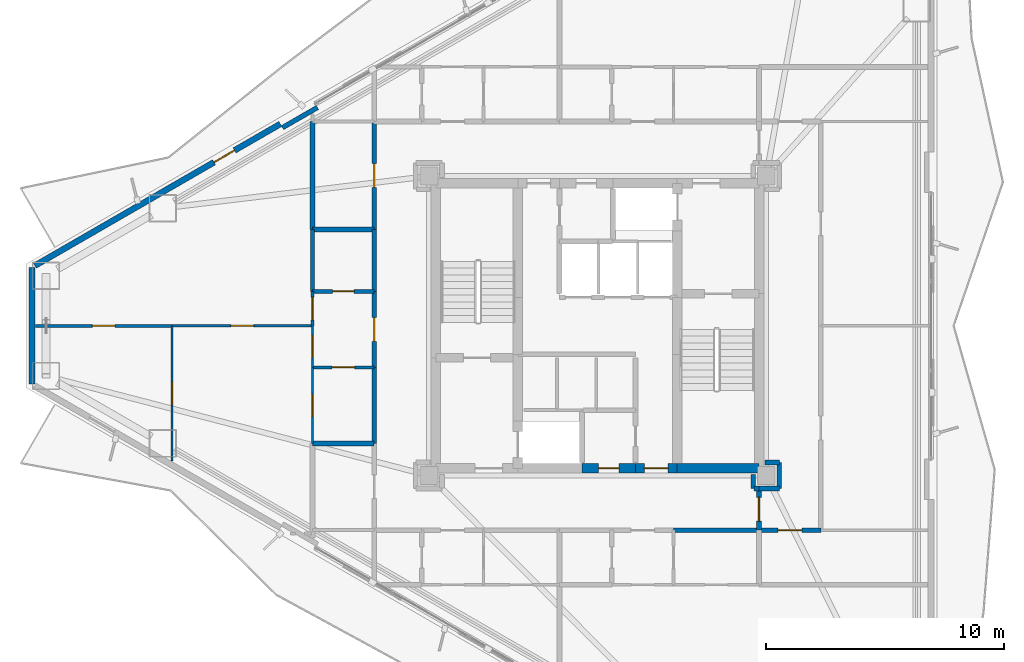
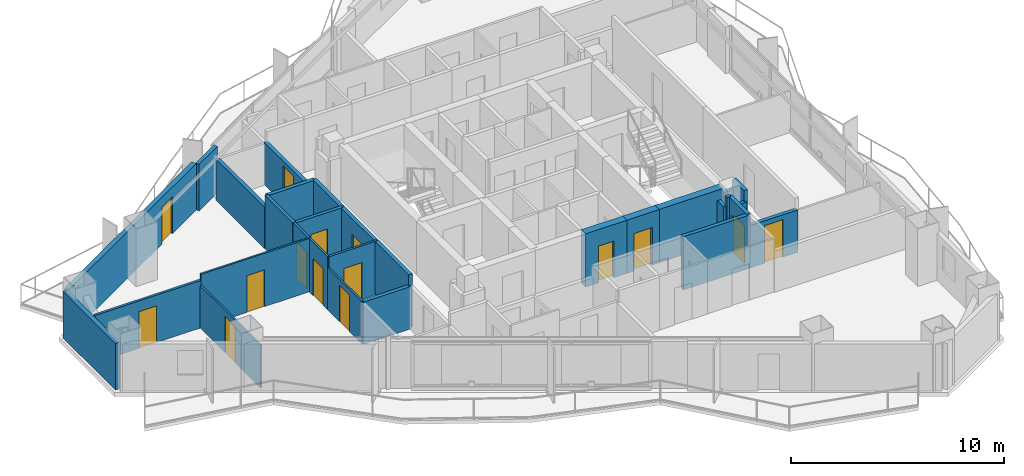
# One storey, part 17 of 23: 30 walls, 15 doors, 15 openings.
"""IFC4 building model written with IfcOpenShell, lengths in metres."""

from ifc_helpers import new_model, si_unit, direction, frame, frame_2d, origin, place, context, subcontext, project, spatial, rectangle, extrude, material, layer, layer_set, type_object, element, fill, save


model = new_model("IFC4")

# Units and contexts
model_context = context("Model", 3, precision=1e-05, world=origin(), true_north=direction((0.0, 1.0)))
body_context = subcontext(model_context, "Body", "Model", "MODEL_VIEW")
ifc_project = project(units=[si_unit("LENGTHUNIT", "METRE"), si_unit("AREAUNIT", "SQUARE_METRE"), si_unit("VOLUMEUNIT", "CUBIC_METRE"), si_unit("PLANEANGLEUNIT", "RADIAN"), si_unit("MASSUNIT", "GRAM", prefix="KILO")], contexts=[model_context])

# Site, building, storey
site_placement = place(None, origin())
site = spatial("IfcSite", under=ifc_project, at=site_placement, CompositionType="ELEMENT")
building_placement = place(site_placement, origin())
building = spatial("IfcBuilding", under=site, at=building_placement, Name="Mersakhor Tower and Convention Hall", CompositionType="ELEMENT")
storey_placement = place(building_placement, frame((0.0, 0.0, 96.60009765625)))
storey = spatial("IfcBuildingStorey", under=building, at=storey_placement, Name="L26", CompositionType="ELEMENT", Elevation=96.60009765625)

# Wall
ifc_material_1 = material(Name="Precast concrete C40/50", Category="concrete")
ifc_layer_1 = layer(ifc_material_1, 0.25)
ifc_layer_set_1 = layer_set([ifc_layer_1], Name="Precast concrete C40/50")
wall_type_1 = type_object("IfcWallType", Name="WL-EXT-250", PredefinedType="SOLIDWALL", material=ifc_layer_set_1)
wall_1_placement = place(storey_placement, frame((5.186767578125, 24.292724609375, 0.0), z_axis=(0.0, 0.0, 1.0), x_axis=(0.0, 1.0, 0.0)))
element("IfcWall", 1, at=wall_1_placement, inside=storey, type_object=wall_type_1, Name="L26 Chamfer Braced Spandrel Wall C3", PredefinedType="SOLIDWALL", context=body_context, shape_type="SweptSolid", body=[
    extrude(rectangle(XDim=4.91455078125, YDim=0.25, at=frame_2d((2.457275390625, 0.0))), origin(), (0.0, 0.0, 1.0), 2.669921875),
])

# Wall, opening, door
wall_2_placement = place(storey_placement, frame((5.316650390625, 29.2822265625, 0.0), z_axis=(0.0, 0.0, 1.0), x_axis=(0.866023023012, 0.500004123596, 0.0)))
wall_2 = element("IfcWall", 2, at=wall_2_placement, inside=storey, type_object=wall_type_1, Name="L26 Exterior Facade Wall F1-B1", PredefinedType="SOLIDWALL", context=body_context, shape_type="SweptSolid", body=[
    extrude(rectangle(XDim=11.9296875, YDim=0.25, at=frame_2d((5.96484375, 0.0))), origin(), (0.0, 0.0, 1.0), 2.669921875),
])
opening_1_placement = place(wall_2_placement, frame((8.7041015625, 0.0, 0.0)))
opening_1 = element("IfcOpeningElement", 3, at=opening_1_placement, cuts=wall_2, Name="Opening BD-01", PredefinedType="OPENING", context=body_context, shape_type="SweptSolid", body=[
    extrude(rectangle(XDim=1.0, YDim=2.10009765625, at=frame_2d((0.5, 1.050048828125))), frame((0.0, 0.135009765625, 0.0), z_axis=(0.0, -1.0, 0.0), x_axis=(1.0, 0.0, 0.0)), (0.0, 0.0, 1.0), 0.27001953125),
])
ifc_material_2 = material(Name="Thermally broken dark aluminium and safety glass", Category="aluminium")
door_type_1 = type_object("IfcDoorType", Name="DR-BAL-100x210", OperationType="NOTDEFINED", PredefinedType="DOOR", material=ifc_material_2)
door_1_placement = place(opening_1_placement, origin())
door_1 = element("IfcDoor", 4, at=door_1_placement, inside=storey, type_object=door_type_1, Name="L26 Balcony Terrace Door F1-B1", OperationType="SINGLE_SWING_LEFT", OverallHeight=2.10009765625, OverallWidth=1.0, PredefinedType="DOOR", context=body_context, shape_type="SweptSolid", body=[
    extrude(rectangle(XDim=1.0, YDim=2.10009765625, at=frame_2d((0.5, 1.050048828125))), frame((0.0, 0.02490234375, 0.0), z_axis=(0.0, -1.0, 0.0), x_axis=(1.0, 0.0, 0.0)), (0.0, 0.0, 1.0), 0.050048828125),
])
fill(opening_1, door_1)

# Wall
ifc_material_3 = material(Name="Precast concrete C40/50", Category="concrete")
ifc_layer_2 = layer(ifc_material_3, 0.199951171875)
ifc_layer_set_2 = layer_set([ifc_layer_2], Name="Precast concrete C40/50")
wall_type_2 = type_object("IfcWallType", Name="WL-PAR-200", PredefinedType="PARAPET", material=ifc_layer_set_2)
wall_3_placement = place(storey_placement, frame((15.73779296875, 35.091064453125, 0.0), z_axis=(0.0, 0.0, 1.0), x_axis=(0.866025371046, 0.500000056704, 0.0)))
element("IfcWall", 5, at=wall_3_placement, inside=storey, type_object=wall_type_2, Name="L26 Column Pier Cladding Wall F1-C1", PredefinedType="PARAPET", context=body_context, shape_type="SweptSolid", body=[
    extrude(rectangle(XDim=1.7001953125, YDim=0.199951171875, at=frame_2d((0.85009765625, 0.0))), origin(), (0.0, 0.0, 1.0), 2.669921875),
])

# Wall, opening, door
ifc_material_4 = material(Name="Moisture-resistant acoustic drywall studwork", Category="other")
ifc_layer_3 = layer(ifc_material_4, 0.175048828125)
ifc_layer_set_3 = layer_set([ifc_layer_3], Name="Moisture-resistant acoustic drywall studwork")
wall_type_3 = type_object("IfcWallType", Name="WL-PLM-175", PredefinedType="PLUMBINGWALL", material=ifc_layer_set_3)
wall_4_placement = place(storey_placement, frame((17.0, 28.199951171875, 0.0), z_axis=(0.0, 0.0, 1.0), x_axis=(1.0, 0.0, 0.0)))
wall_4 = element("IfcWall", 6, at=wall_4_placement, inside=storey, type_object=wall_type_3, Name="L26 Interior Partition Wall P-074", PredefinedType="PLUMBINGWALL", context=body_context, shape_type="SweptSolid", body=[
    extrude(rectangle(XDim=2.60009765625, YDim=0.175048828125, at=frame_2d((1.300048828125, 0.0))), origin(), (0.0, 0.0, 1.0), 3.0498046875),
])
opening_2_placement = place(wall_4_placement, frame((0.85009765625, 0.0, 0.0)))
opening_2 = element("IfcOpeningElement", 7, at=opening_2_placement, cuts=wall_4, Name="Opening WD-01", PredefinedType="OPENING", context=body_context, shape_type="SweptSolid", body=[
    extrude(rectangle(XDim=0.89990234375, YDim=2.10009765625, at=frame_2d((0.449951171875, 1.050048828125))), frame((0.0, 0.097412109375, 0.0), z_axis=(0.0, -1.0, 0.0), x_axis=(1.0, 0.0, 0.0)), (0.0, 0.0, 1.0), 0.195068359375),
])
ifc_material_5 = material(Name="Solid-core hardwood leaf in painted steel frame", Category="steel")
door_type_2 = type_object("IfcDoorType", Name="DR-INT-WET-090x210", OperationType="NOTDEFINED", PredefinedType="DOOR", material=ifc_material_5)
door_2_placement = place(opening_2_placement, origin())
door_2 = element("IfcDoor", 8, at=door_2_placement, inside=storey, type_object=door_type_2, Name="L26 L26 Flat W5 Apartment Hall to L26 Flat W5 Bathroom Door", OperationType="SINGLE_SWING_RIGHT", OverallHeight=2.10009765625, OverallWidth=0.89990234375, PredefinedType="DOOR", context=body_context, shape_type="SweptSolid", body=[
    extrude(rectangle(XDim=0.89990234375, YDim=2.10009765625, at=frame_2d((0.449951171875, 1.050048828125))), frame((0.0, 0.02490234375, 0.0), z_axis=(0.0, -1.0, 0.0), x_axis=(1.0, 0.0, 0.0)), (0.0, 0.0, 1.0), 0.050048828125),
])
fill(opening_2, door_2)

# Wall
wall_5_placement = place(storey_placement, frame((17.0, 28.199951171875, 0.0), z_axis=(0.0, 0.0, 1.0), x_axis=(0.0, 1.0, 0.0)))
element("IfcWall", 9, at=wall_5_placement, inside=storey, type_object=wall_type_3, Name="L26 Interior Partition Wall P-090", PredefinedType="PLUMBINGWALL", context=body_context, shape_type="SweptSolid", body=[
    extrude(rectangle(XDim=2.60009765625, YDim=0.175048828125, at=frame_2d((1.300048828125, 0.0))), origin(), (0.0, 0.0, 1.0), 3.0498046875),
])

# Wall, opening, door
ifc_material_6 = material(Name="Lightweight gypsum partition", Category="other")
ifc_layer_4 = layer(ifc_material_6, 0.10009765625)
ifc_layer_set_4 = layer_set([ifc_layer_4], Name="Lightweight gypsum partition")
wall_type_4 = type_object("IfcWallType", Name="WL-PRT-100", PredefinedType="PARTITIONING", material=ifc_layer_set_4)
wall_6_placement = place(storey_placement, frame((17.0, 25.0, 0.0), z_axis=(0.0, 0.0, 1.0), x_axis=(0.0, 1.0, 0.0)))
wall_6 = element("IfcWall", 10, at=wall_6_placement, inside=storey, type_object=wall_type_4, Name="L26 Interior Partition Wall P-072", PredefinedType="PARTITIONING", context=body_context, shape_type="SweptSolid", body=[
    extrude(rectangle(XDim=1.75, YDim=0.10009765625, at=frame_2d((0.875, 0.0))), origin(), (0.0, 0.0, 1.0), 3.0498046875),
])
opening_3_placement = place(wall_6_placement, frame((0.39990234375, 0.0, 0.0)))
opening_3 = element("IfcOpeningElement", 11, at=opening_3_placement, cuts=wall_6, Name="Opening RD-01", PredefinedType="OPENING", context=body_context, shape_type="SweptSolid", body=[
    extrude(rectangle(XDim=0.949951171875, YDim=2.10009765625, at=frame_2d((0.47509765625, 1.050048828125))), frame((0.0, 0.06005859375, 0.0), z_axis=(0.0, -1.0, 0.0), x_axis=(1.0, 0.0, 0.0)), (0.0, 0.0, 1.0), 0.1201171875),
])
ifc_material_7 = material(Name="Solid-core hardwood leaf in painted steel frame", Category="steel")
door_type_3 = type_object("IfcDoorType", Name="DR-INT-RM-095x210", OperationType="NOTDEFINED", PredefinedType="DOOR", material=ifc_material_7)
door_3_placement = place(opening_3_placement, origin())
door_3 = element("IfcDoor", 12, at=door_3_placement, inside=storey, type_object=door_type_3, Name="L26 L26 Flat W5 Apartment Hall to L26 Flat W5 Dining Room Door", OperationType="SINGLE_SWING_LEFT", OverallHeight=2.10009765625, OverallWidth=0.949951171875, PredefinedType="DOOR", context=body_context, shape_type="SweptSolid", body=[
    extrude(rectangle(XDim=0.949951171875, YDim=2.10009765625, at=frame_2d((0.47509765625, 1.050048828125))), frame((0.0, 0.02490234375, 0.0), z_axis=(0.0, -1.0, 0.0), x_axis=(1.0, 0.0, 0.0)), (0.0, 0.0, 1.0), 0.050048828125),
])
fill(opening_3, door_3)

wall_7_placement = place(storey_placement, frame((17.0, 21.800048828125, 0.0), z_axis=(0.0, 0.0, 1.0), x_axis=(0.0, 1.0, 0.0)))
wall_7 = element("IfcWall", 13, at=wall_7_placement, inside=storey, type_object=wall_type_4, Name="L26 Interior Partition Wall P-092", PredefinedType="PARTITIONING", context=body_context, shape_type="SweptSolid", body=[
    extrude(rectangle(XDim=3.199951171875, YDim=0.10009765625, at=frame_2d((1.60009765625, 0.0))), origin(), (0.0, 0.0, 1.0), 2.422607421875),
])
opening_4_placement = place(wall_7_placement, frame((1.125, 0.0, 0.0)))
opening_4 = element("IfcOpeningElement", 14, at=opening_4_placement, cuts=wall_7, Name="Opening RD-01", PredefinedType="OPENING", context=body_context, shape_type="SweptSolid", body=[
    extrude(rectangle(XDim=0.949951171875, YDim=2.10009765625, at=frame_2d((0.47509765625, 1.050048828125))), frame((0.0, 0.06005859375, 0.0), z_axis=(0.0, -1.0, 0.0), x_axis=(1.0, 0.0, 0.0)), (0.0, 0.0, 1.0), 0.1201171875),
])
door_4_placement = place(opening_4_placement, origin())
door_4 = element("IfcDoor", 15, at=door_4_placement, inside=storey, type_object=door_type_3, Name="L26 L26 Flat W5 Kitchen to L26 Flat W5 Dining Room Door", OperationType="SINGLE_SWING_RIGHT", OverallHeight=2.10009765625, OverallWidth=0.949951171875, PredefinedType="DOOR", context=body_context, shape_type="SweptSolid", body=[
    extrude(rectangle(XDim=0.949951171875, YDim=2.10009765625, at=frame_2d((0.47509765625, 1.050048828125))), frame((0.0, 0.02490234375, 0.0), z_axis=(0.0, -1.0, 0.0), x_axis=(1.0, 0.0, 0.0)), (0.0, 0.0, 1.0), 0.050048828125),
])
fill(opening_4, door_4)

wall_8_placement = place(storey_placement, frame((17.0, 26.75, 0.0), z_axis=(0.0, 0.0, 1.0), x_axis=(-1.0, 0.0, 0.0)))
wall_8 = element("IfcWall", 16, at=wall_8_placement, inside=storey, type_object=wall_type_4, Name="L26 Interior Partition Wall P-108", PredefinedType="PARTITIONING", context=body_context, shape_type="SweptSolid", body=[
    extrude(rectangle(XDim=5.909912109375, YDim=0.10009765625, at=frame_2d((2.955078125, 0.0))), origin(), (0.0, 0.0, 1.0), 3.0498046875),
])
opening_5_placement = place(wall_8_placement, frame((2.47998046875, 0.0, 0.0)))
opening_5 = element("IfcOpeningElement", 17, at=opening_5_placement, cuts=wall_8, Name="Opening RD-01", PredefinedType="OPENING", context=body_context, shape_type="SweptSolid", body=[
    extrude(rectangle(XDim=0.949951171875, YDim=2.10009765625, at=frame_2d((0.47509765625, 1.050048828125))), frame((0.0, 0.06005859375, 0.0), z_axis=(0.0, -1.0, 0.0), x_axis=(1.0, 0.0, 0.0)), (0.0, 0.0, 1.0), 0.1201171875),
])
door_5_placement = place(opening_5_placement, origin())
door_5 = element("IfcDoor", 18, at=door_5_placement, inside=storey, type_object=door_type_3, Name="L26 L26 Flat W5 Living and Dining Room to L26 Flat W5 Dining Room Door", OperationType="SINGLE_SWING_RIGHT", OverallHeight=2.10009765625, OverallWidth=0.949951171875, PredefinedType="DOOR", context=body_context, shape_type="SweptSolid", body=[
    extrude(rectangle(XDim=0.949951171875, YDim=2.10009765625, at=frame_2d((0.47509765625, 1.050048828125))), frame((0.0, 0.02490234375, 0.0), z_axis=(0.0, -1.0, 0.0), x_axis=(1.0, 0.0, 0.0)), (0.0, 0.0, 1.0), 0.050048828125),
])
fill(opening_5, door_5)

wall_9_placement = place(storey_placement, frame((11.090087890625, 26.75, 0.0), z_axis=(0.0, 0.0, 1.0), x_axis=(0.0, -1.0, 0.0)))
wall_9 = element("IfcWall", 19, at=wall_9_placement, inside=storey, type_object=wall_type_4, Name="L26 Interior Partition Wall P-110", PredefinedType="PARTITIONING", context=body_context, shape_type="SweptSolid", body=[
    extrude(rectangle(XDim=5.693359375, YDim=0.10009765625, at=frame_2d((2.8466796875, 0.0))), origin(), (0.0, 0.0, 1.0), 2.422607421875),
])
opening_6_placement = place(wall_9_placement, frame((2.37158203125, 0.0, 0.0)))
opening_6 = element("IfcOpeningElement", 20, at=opening_6_placement, cuts=wall_9, Name="Opening RD-01", PredefinedType="OPENING", context=body_context, shape_type="SweptSolid", body=[
    extrude(rectangle(XDim=0.949951171875, YDim=2.10009765625, at=frame_2d((0.47509765625, 1.050048828125))), frame((0.0, 0.06005859375, 0.0), z_axis=(0.0, -1.0, 0.0), x_axis=(1.0, 0.0, 0.0)), (0.0, 0.0, 1.0), 0.1201171875),
])
door_6_placement = place(opening_6_placement, origin())
door_6 = element("IfcDoor", 21, at=door_6_placement, inside=storey, type_object=door_type_3, Name="L26 L26 Flat W5 Bedroom 1 to L26 Flat W5 Dining Room Door", OperationType="SINGLE_SWING_LEFT", OverallHeight=2.10009765625, OverallWidth=0.949951171875, PredefinedType="DOOR", context=body_context, shape_type="SweptSolid", body=[
    extrude(rectangle(XDim=0.949951171875, YDim=2.10009765625, at=frame_2d((0.47509765625, 1.050048828125))), frame((0.0, 0.02490234375, 0.0), z_axis=(0.0, -1.0, 0.0), x_axis=(1.0, 0.0, 0.0)), (0.0, 0.0, 1.0), 0.050048828125),
])
fill(opening_6, door_6)

ifc_material_8 = material(Name="Gypsum board acoustic partition", Category="other")
ifc_layer_5 = layer(ifc_material_8, 0.125)
ifc_layer_set_5 = layer_set([ifc_layer_5], Name="Gypsum board acoustic partition")
wall_type_5 = type_object("IfcWallType", Name="WL-PRT-125", PredefinedType="PARTITIONING", material=ifc_layer_set_5)
wall_10_placement = place(storey_placement, frame((17.0, 26.75, 0.0), z_axis=(0.0, 0.0, 1.0), x_axis=(0.0, 1.0, 0.0)))
wall_10 = element("IfcWall", 22, at=wall_10_placement, inside=storey, type_object=wall_type_5, Name="L26 Interior Partition Wall P-073", PredefinedType="PARTITIONING", context=body_context, shape_type="SweptSolid", body=[
    extrude(rectangle(XDim=1.449951171875, YDim=0.125, at=frame_2d((0.72509765625, 0.0))), origin(), (0.0, 0.0, 1.0), 3.0498046875),
])
opening_7_placement = place(wall_10_placement, frame((0.25, 0.0, 0.0)))
opening_7 = element("IfcOpeningElement", 23, at=opening_7_placement, cuts=wall_10, Name="Opening RD-01", PredefinedType="OPENING", context=body_context, shape_type="SweptSolid", body=[
    extrude(rectangle(XDim=0.949951171875, YDim=2.10009765625, at=frame_2d((0.47509765625, 1.050048828125))), frame((0.0, 0.072509765625, 0.0), z_axis=(0.0, -1.0, 0.0), x_axis=(1.0, 0.0, 0.0)), (0.0, 0.0, 1.0), 0.14501953125),
])
door_7_placement = place(opening_7_placement, origin())
door_7 = element("IfcDoor", 24, at=door_7_placement, inside=storey, type_object=door_type_3, Name="L26 L26 Flat W5 Apartment Hall to L26 Flat W5 Living and Dining Room Door", OperationType="SINGLE_SWING_RIGHT", OverallHeight=2.10009765625, OverallWidth=0.949951171875, PredefinedType="DOOR", context=body_context, shape_type="SweptSolid", body=[
    extrude(rectangle(XDim=0.949951171875, YDim=2.10009765625, at=frame_2d((0.47509765625, 1.050048828125))), frame((0.0, 0.02490234375, 0.0), z_axis=(0.0, -1.0, 0.0), x_axis=(1.0, 0.0, 0.0)), (0.0, 0.0, 1.0), 0.050048828125),
])
fill(opening_7, door_7)

wall_11_placement = place(storey_placement, frame((19.60009765625, 25.0, 0.0), z_axis=(0.0, 0.0, 1.0), x_axis=(-1.0, 0.0, 0.0)))
wall_11 = element("IfcWall", 25, at=wall_11_placement, inside=storey, type_object=wall_type_5, Name="L26 Interior Partition Wall P-075", PredefinedType="PARTITIONING", context=body_context, shape_type="SweptSolid", body=[
    extrude(rectangle(XDim=2.60009765625, YDim=0.125, at=frame_2d((1.300048828125, 0.0))), origin(), (0.0, 0.0, 1.0), 3.0498046875),
])
opening_8_placement = place(wall_11_placement, frame((0.824951171875, 0.0, 0.0)))
opening_8 = element("IfcOpeningElement", 26, at=opening_8_placement, cuts=wall_11, Name="Opening RD-01", PredefinedType="OPENING", context=body_context, shape_type="SweptSolid", body=[
    extrude(rectangle(XDim=0.949951171875, YDim=2.10009765625, at=frame_2d((0.47509765625, 1.050048828125))), frame((0.0, 0.072509765625, 0.0), z_axis=(0.0, -1.0, 0.0), x_axis=(1.0, 0.0, 0.0)), (0.0, 0.0, 1.0), 0.14501953125),
])
door_8_placement = place(opening_8_placement, origin())
door_8 = element("IfcDoor", 27, at=door_8_placement, inside=storey, type_object=door_type_3, Name="L26 L26 Flat W5 Apartment Hall to L26 Flat W5 Kitchen Door", OperationType="SINGLE_SWING_LEFT", OverallHeight=2.10009765625, OverallWidth=0.949951171875, PredefinedType="DOOR", context=body_context, shape_type="SweptSolid", body=[
    extrude(rectangle(XDim=0.949951171875, YDim=2.10009765625, at=frame_2d((0.47509765625, 1.050048828125))), frame((0.0, 0.02490234375, 0.0), z_axis=(0.0, -1.0, 0.0), x_axis=(1.0, 0.0, 0.0)), (0.0, 0.0, 1.0), 0.050048828125),
])
fill(opening_8, door_8)

wall_12_placement = place(storey_placement, frame((11.090087890625, 26.75, 0.0), z_axis=(0.0, 0.0, 1.0), x_axis=(-1.0, 0.0, 0.0)))
wall_12 = element("IfcWall", 28, at=wall_12_placement, inside=storey, type_object=wall_type_5, Name="L26 Interior Partition Wall P-109", PredefinedType="PARTITIONING", context=body_context, shape_type="SweptSolid", body=[
    extrude(rectangle(XDim=5.75439453125, YDim=0.125, at=frame_2d((2.877197265625, 0.0))), origin(), (0.0, 0.0, 1.0), 2.71435546875),
])
opening_9_placement = place(wall_12_placement, frame((2.402099609375, 0.0, 0.0)))
opening_9 = element("IfcOpeningElement", 29, at=opening_9_placement, cuts=wall_12, Name="Opening RD-01", PredefinedType="OPENING", context=body_context, shape_type="SweptSolid", body=[
    extrude(rectangle(XDim=0.949951171875, YDim=2.10009765625, at=frame_2d((0.47509765625, 1.050048828125))), frame((0.0, 0.072509765625, 0.0), z_axis=(0.0, -1.0, 0.0), x_axis=(1.0, 0.0, 0.0)), (0.0, 0.0, 1.0), 0.14501953125),
])
door_9_placement = place(opening_9_placement, origin())
door_9 = element("IfcDoor", 30, at=door_9_placement, inside=storey, type_object=door_type_3, Name="L26 L26 Flat W5 Living and Dining Room to L26 Flat W5 Bedroom 1 Door", OperationType="SINGLE_SWING_LEFT", OverallHeight=2.10009765625, OverallWidth=0.949951171875, PredefinedType="DOOR", context=body_context, shape_type="SweptSolid", body=[
    extrude(rectangle(XDim=0.949951171875, YDim=2.10009765625, at=frame_2d((0.47509765625, 1.050048828125))), frame((0.0, 0.02490234375, 0.0), z_axis=(0.0, -1.0, 0.0), x_axis=(1.0, 0.0, 0.0)), (0.0, 0.0, 1.0), 0.050048828125),
])
fill(opening_9, door_9)

# Walls
ifc_material_9 = material(Name="Acoustic concrete blockwork and gypsum board", Category="masonry")
ifc_layer_6 = layer(ifc_material_9, 0.199951171875)
ifc_layer_set_6 = layer_set([ifc_layer_6], Name="Acoustic concrete blockwork and gypsum board")
wall_type_6 = type_object("IfcWallType", Name="WL-PRT-200", PredefinedType="PARTITIONING", material=ifc_layer_set_6)
wall_13_placement = place(storey_placement, frame((35.550048828125, 20.5, 0.0), z_axis=(0.0, 0.0, 1.0), x_axis=(0.0, -1.0, 0.0)))
element("IfcWall", 31, at=wall_13_placement, inside=storey, type_object=wall_type_6, Name="L26 Interior Partition Wall P-021", PredefinedType="PARTITIONING", context=body_context, shape_type="SweptSolid", body=[
    extrude(rectangle(XDim=0.60009765625, YDim=0.199951171875, at=frame_2d((0.300048828125, 0.0))), origin(), (0.0, 0.0, 1.0), 2.498291015625),
])
wall_14_placement = place(storey_placement, frame((35.580078125, 19.89990234375, 0.0), z_axis=(0.0, 0.0, 1.0), x_axis=(1.0, 0.0, 0.0)))
element("IfcWall", 32, at=wall_14_placement, inside=storey, type_object=wall_type_6, Name="L26 Interior Partition Wall P-022", PredefinedType="PARTITIONING", context=body_context, shape_type="SweptSolid", body=[
    extrude(rectangle(XDim=0.219970703125, YDim=0.199951171875, at=frame_2d((0.10986328125, 0.0))), origin(), (0.0, 0.0, 1.0), 3.0498046875),
])

# Wall, opening, door
wall_15_placement = place(storey_placement, frame((35.800048828125, 19.89990234375, 0.0), z_axis=(0.0, 0.0, 1.0), x_axis=(0.0, -1.0, 0.0)))
wall_15 = element("IfcWall", 33, at=wall_15_placement, inside=storey, type_object=wall_type_6, Name="L26 Interior Partition Wall P-023", PredefinedType="PARTITIONING", context=body_context, shape_type="SweptSolid", body=[
    extrude(rectangle(XDim=1.75, YDim=0.199951171875, at=frame_2d((0.875, 0.0))), origin(), (0.0, 0.0, 1.0), 3.0498046875),
])
opening_10_placement = place(wall_15_placement, frame((0.375, 0.0, 0.0)))
opening_10 = element("IfcOpeningElement", 34, at=opening_10_placement, cuts=wall_15, Name="Opening FD-01", PredefinedType="OPENING", context=body_context, shape_type="SweptSolid", body=[
    extrude(rectangle(XDim=1.0, YDim=2.14990234375, at=frame_2d((0.5, 1.074951171875))), frame((0.0, 0.10986328125, 0.0), z_axis=(0.0, -1.0, 0.0), x_axis=(1.0, 0.0, 0.0)), (0.0, 0.0, 1.0), 0.219970703125),
])
ifc_material_10 = material(Name="Fire-rated hardwood leaf and painted steel frame", Category="steel")
door_type_4 = type_object("IfcDoorType", Name="DR-INT-FLT-100x215", OperationType="NOTDEFINED", PredefinedType="DOOR", material=ifc_material_10)
door_10_placement = place(opening_10_placement, origin())
door_10 = element("IfcDoor", 35, at=door_10_placement, inside=storey, type_object=door_type_4, Name="L26 Ring Corridor Fire Door", OperationType="SINGLE_SWING_LEFT", OverallHeight=2.14990234375, OverallWidth=1.0, PredefinedType="DOOR", context=body_context, shape_type="SweptSolid", body=[
    extrude(rectangle(XDim=1.0, YDim=2.14990234375, at=frame_2d((0.5, 1.074951171875))), frame((0.0, 0.02490234375, 0.0), z_axis=(0.0, -1.0, 0.0), x_axis=(1.0, 0.0, 0.0)), (0.0, 0.0, 1.0), 0.050048828125),
])
fill(opening_10, door_10)

# Walls
wall_16_placement = place(storey_placement, frame((35.800048828125, 18.14990234375, 0.0), z_axis=(0.0, 0.0, 1.0), x_axis=(-1.0, 0.0, 0.0)))
element("IfcWall", 36, at=wall_16_placement, inside=storey, type_object=wall_type_6, Name="L26 Interior Partition Wall P-024", PredefinedType="PARTITIONING", context=body_context, shape_type="SweptSolid", body=[
    extrude(rectangle(XDim=3.60009765625, YDim=0.199951171875, at=frame_2d((1.800048828125, 0.0))), origin(), (0.0, 0.0, 1.0), 3.0498046875),
])
wall_17_placement = place(storey_placement, frame((19.60009765625, 21.800048828125, 0.0), z_axis=(0.0, 0.0, 1.0), x_axis=(0.0, 1.0, 0.0)))
element("IfcWall", 37, at=wall_17_placement, inside=storey, type_object=wall_type_6, Name="L26 Interior Partition Wall P-031", PredefinedType="PARTITIONING", context=body_context, shape_type="SweptSolid", body=[
    extrude(rectangle(XDim=3.199951171875, YDim=0.199951171875, at=frame_2d((1.60009765625, 0.0))), origin(), (0.0, 0.0, 1.0), 3.0498046875),
])

# Wall, opening, door
wall_18_placement = place(storey_placement, frame((19.60009765625, 25.0, 0.0), z_axis=(0.0, 0.0, 1.0), x_axis=(0.0, 1.0, 0.0)))
wall_18 = element("IfcWall", 38, at=wall_18_placement, inside=storey, type_object=wall_type_6, Name="L26 Interior Partition Wall P-032", PredefinedType="PARTITIONING", context=body_context, shape_type="SweptSolid", body=[
    extrude(rectangle(XDim=3.199951171875, YDim=0.199951171875, at=frame_2d((1.60009765625, 0.0))), origin(), (0.0, 0.0, 1.0), 3.0498046875),
])
opening_11_placement = place(wall_18_placement, frame((1.10009765625, 0.0, 0.0)))
opening_11 = element("IfcOpeningElement", 39, at=opening_11_placement, cuts=wall_18, Name="Opening FD-01", PredefinedType="OPENING", context=body_context, shape_type="SweptSolid", body=[
    extrude(rectangle(XDim=1.0, YDim=2.14990234375, at=frame_2d((0.5, 1.074951171875))), frame((0.0, 0.10986328125, 0.0), z_axis=(0.0, -1.0, 0.0), x_axis=(1.0, 0.0, 0.0)), (0.0, 0.0, 1.0), 0.219970703125),
])
door_11_placement = place(opening_11_placement, origin())
door_11 = element("IfcDoor", 40, at=door_11_placement, inside=storey, type_object=door_type_4, Name="L26 Apartment Entrance Door (Residential Ring Corridor to L26 Flat W5 Apartment Hall)", OperationType="SINGLE_SWING_LEFT", OverallHeight=2.14990234375, OverallWidth=1.0, PredefinedType="DOOR", context=body_context, shape_type="SweptSolid", body=[
    extrude(rectangle(XDim=1.0, YDim=2.14990234375, at=frame_2d((0.5, 1.074951171875))), frame((0.0, 0.02490234375, 0.0), z_axis=(0.0, -1.0, 0.0), x_axis=(1.0, 0.0, 0.0)), (0.0, 0.0, 1.0), 0.050048828125),
])
fill(opening_11, door_11)

# Wall
wall_19_placement = place(storey_placement, frame((19.60009765625, 28.199951171875, 0.0), z_axis=(0.0, 0.0, 1.0), x_axis=(0.0, 1.0, 0.0)))
element("IfcWall", 41, at=wall_19_placement, inside=storey, type_object=wall_type_6, Name="L26 Interior Partition Wall P-033", PredefinedType="PARTITIONING", context=body_context, shape_type="SweptSolid", body=[
    extrude(rectangle(XDim=2.60009765625, YDim=0.199951171875, at=frame_2d((1.300048828125, 0.0))), origin(), (0.0, 0.0, 1.0), 3.0498046875),
])

# Wall, opening, door
wall_20_placement = place(storey_placement, frame((19.60009765625, 30.800048828125, 0.0), z_axis=(0.0, 0.0, 1.0), x_axis=(0.0, 1.0, 0.0)))
wall_20 = element("IfcWall", 42, at=wall_20_placement, inside=storey, type_object=wall_type_6, Name="L26 Interior Partition Wall P-034", PredefinedType="PARTITIONING", context=body_context, shape_type="SweptSolid", body=[
    extrude(rectangle(XDim=4.550048828125, YDim=0.199951171875, at=frame_2d((2.27490234375, 0.0))), origin(), (0.0, 0.0, 1.0), 2.422607421875),
])
opening_12_placement = place(wall_20_placement, frame((1.77490234375, 0.0, 0.0)))
opening_12 = element("IfcOpeningElement", 43, at=opening_12_placement, cuts=wall_20, Name="Opening FD-01", PredefinedType="OPENING", context=body_context, shape_type="SweptSolid", body=[
    extrude(rectangle(XDim=1.0, YDim=2.14990234375, at=frame_2d((0.5, 1.074951171875))), frame((0.0, 0.10986328125, 0.0), z_axis=(0.0, -1.0, 0.0), x_axis=(1.0, 0.0, 0.0)), (0.0, 0.0, 1.0), 0.219970703125),
])
door_12_placement = place(opening_12_placement, origin())
door_12 = element("IfcDoor", 44, at=door_12_placement, inside=storey, type_object=door_type_4, Name="L26 Residential Ring Corridor to L26 West Wing Shared Study Room Door", OperationType="SINGLE_SWING_RIGHT", OverallHeight=2.14990234375, OverallWidth=1.0, PredefinedType="DOOR", context=body_context, shape_type="SweptSolid", body=[
    extrude(rectangle(XDim=1.0, YDim=2.14990234375, at=frame_2d((0.5, 1.074951171875))), frame((0.0, 0.02490234375, 0.0), z_axis=(0.0, -1.0, 0.0), x_axis=(1.0, 0.0, 0.0)), (0.0, 0.0, 1.0), 0.050048828125),
])
fill(opening_12, door_12)

# Wall
wall_21_placement = place(storey_placement, frame((36.64990234375, 21.0, 0.0), z_axis=(0.0, 0.0, 1.0), x_axis=(-1.0, 0.0, 0.0)))
element("IfcWall", 45, at=wall_21_placement, inside=storey, type_object=wall_type_6, Name="L26 Interior Partition Wall P-050", PredefinedType="PARTITIONING", context=body_context, shape_type="SweptSolid", body=[
    extrude(rectangle(XDim=0.599853515625, YDim=0.199951171875, at=frame_2d((0.2998046875, 0.0))), origin(), (0.0, 0.0, 1.0), 2.498291015625),
])

# Wall, opening, door
wall_22_placement = place(storey_placement, frame((38.39990234375, 18.14990234375, 0.0), z_axis=(0.0, 0.0, 1.0), x_axis=(-1.0, 0.0, 0.0)))
wall_22 = element("IfcWall", 46, at=wall_22_placement, inside=storey, type_object=wall_type_6, Name="L26 Interior Partition Wall P-057", PredefinedType="PARTITIONING", context=body_context, shape_type="SweptSolid", body=[
    extrude(rectangle(XDim=2.599853515625, YDim=0.199951171875, at=frame_2d((1.2998046875, 0.0))), origin(), (0.0, 0.0, 1.0), 2.422607421875),
])
opening_13_placement = place(wall_22_placement, frame((0.800048828125, 0.0, 0.0)))
opening_13 = element("IfcOpeningElement", 47, at=opening_13_placement, cuts=wall_22, Name="Opening FD-01", PredefinedType="OPENING", context=body_context, shape_type="SweptSolid", body=[
    extrude(rectangle(XDim=1.0, YDim=2.14990234375, at=frame_2d((0.5, 1.074951171875))), frame((0.0, 0.10986328125, 0.0), z_axis=(0.0, -1.0, 0.0), x_axis=(1.0, 0.0, 0.0)), (0.0, 0.0, 1.0), 0.219970703125),
])
door_13_placement = place(opening_13_placement, origin())
door_13 = element("IfcDoor", 48, at=door_13_placement, inside=storey, type_object=door_type_4, Name="L26 Residential Ring East Corridor to L26 South-East Quiet Focus Room Door", OperationType="SINGLE_SWING_LEFT", OverallHeight=2.14990234375, OverallWidth=1.0, PredefinedType="DOOR", context=body_context, shape_type="SweptSolid", body=[
    extrude(rectangle(XDim=1.0, YDim=2.14990234375, at=frame_2d((0.5, 1.074951171875))), frame((0.0, 0.02490234375, 0.0), z_axis=(0.0, -1.0, 0.0), x_axis=(1.0, 0.0, 0.0)), (0.0, 0.0, 1.0), 0.050048828125),
])
fill(opening_13, door_13)

# Walls
wall_23_placement = place(storey_placement, frame((35.800048828125, 19.89990234375, 0.0), z_axis=(0.0, 0.0, 1.0), x_axis=(1.0, 0.0, 0.0)))
element("IfcWall", 49, at=wall_23_placement, inside=storey, type_object=wall_type_6, Name="L26 Interior Partition Wall P-058", PredefinedType="PARTITIONING", context=body_context, shape_type="SweptSolid", body=[
    extrude(rectangle(XDim=0.849853515625, YDim=0.199951171875, at=frame_2d((0.4248046875, 0.0))), origin(), (0.0, 0.0, 1.0), 2.422607421875),
])
wall_24_placement = place(storey_placement, frame((36.64990234375, 19.89990234375, 0.0), z_axis=(0.0, 0.0, 1.0), x_axis=(0.0, 1.0, 0.0)))
element("IfcWall", 50, at=wall_24_placement, inside=storey, type_object=wall_type_6, Name="L26 Interior Partition Wall P-059", PredefinedType="PARTITIONING", context=body_context, shape_type="SweptSolid", body=[
    extrude(rectangle(XDim=1.10009765625, YDim=0.199951171875, at=frame_2d((0.550048828125, 0.0))), origin(), (0.0, 0.0, 1.0), 3.0498046875),
])
wall_25_placement = place(storey_placement, frame((17.0, 30.800048828125, 0.0), z_axis=(0.0, 0.0, 1.0), x_axis=(1.0, 0.0, 0.0)))
element("IfcWall", 51, at=wall_25_placement, inside=storey, type_object=wall_type_6, Name="L26 Interior Partition Wall P-091", PredefinedType="PARTITIONING", context=body_context, shape_type="SweptSolid", body=[
    extrude(rectangle(XDim=2.60009765625, YDim=0.199951171875, at=frame_2d((1.300048828125, 0.0))), origin(), (0.0, 0.0, 1.0), 3.0498046875),
])
wall_26_placement = place(storey_placement, frame((19.60009765625, 21.800048828125, 0.0), z_axis=(0.0, 0.0, 1.0), x_axis=(-1.0, 0.0, 0.0)))
element("IfcWall", 52, at=wall_26_placement, inside=storey, type_object=wall_type_6, Name="L26 Interior Partition Wall P-093", PredefinedType="PARTITIONING", context=body_context, shape_type="SweptSolid", body=[
    extrude(rectangle(XDim=2.60009765625, YDim=0.199951171875, at=frame_2d((1.300048828125, 0.0))), origin(), (0.0, 0.0, 1.0), 2.422607421875),
])
wall_27_placement = place(storey_placement, frame((17.0, 30.800048828125, 0.0), z_axis=(0.0, 0.0, 1.0), x_axis=(0.0, 1.0, 0.0)))
element("IfcWall", 53, at=wall_27_placement, inside=storey, type_object=wall_type_6, Name="L26 Interior Partition Wall P-098", PredefinedType="PARTITIONING", context=body_context, shape_type="SweptSolid", body=[
    extrude(rectangle(XDim=4.550048828125, YDim=0.199951171875, at=frame_2d((2.27490234375, 0.0))), origin(), (0.0, 0.0, 1.0), 2.364990234375),
])
ifc_material_11 = material(Name="Concrete C60/75", Category="concrete")
ifc_layer_7 = layer(ifc_material_11, 0.39990234375)
ifc_layer_set_7 = layer_set([ifc_layer_7], Name="Concrete C60/75")
wall_type_7 = type_object("IfcWallType", Name="WL-SHR-400", PredefinedType="SHEAR", material=ifc_layer_set_7)
wall_28_placement = place(storey_placement, frame((35.800048828125, 20.75, 0.0), z_axis=(0.0, 0.0, 1.0), x_axis=(-1.0, 0.0, 0.0)))
element("IfcWall", 54, at=wall_28_placement, inside=storey, type_object=wall_type_7, Name="L26 Core Wall CW-S1", PredefinedType="SHEAR", context=body_context, shape_type="SweptSolid", body=[
    extrude(rectangle(XDim=3.449951171875, YDim=0.39990234375, at=frame_2d((1.72509765625, 0.0))), origin(), (0.0, 0.0, 1.0), 3.0498046875),
])

# Wall, opening, door
wall_29_placement = place(storey_placement, frame((32.35009765625, 20.75, 0.0), z_axis=(0.0, 0.0, 1.0), x_axis=(-1.0, 0.0, 0.0)))
wall_29 = element("IfcWall", 55, at=wall_29_placement, inside=storey, type_object=wall_type_7, Name="L26 Core Wall CW-S2A", PredefinedType="SHEAR", context=body_context, shape_type="SweptSolid", body=[
    extrude(rectangle(XDim=1.75, YDim=0.39990234375, at=frame_2d((0.875, 0.0))), origin(), (0.0, 0.0, 1.0), 3.0498046875),
])
opening_14_placement = place(wall_29_placement, frame((0.375, 0.0, 0.0)))
opening_14 = element("IfcOpeningElement", 56, at=opening_14_placement, cuts=wall_29, Name="Opening CFD-01", PredefinedType="OPENING", context=body_context, shape_type="SweptSolid", body=[
    extrude(rectangle(XDim=1.0, YDim=2.14990234375, at=frame_2d((0.5, 1.074951171875))), frame((0.0, 0.2099609375, 0.0), z_axis=(0.0, -1.0, 0.0), x_axis=(1.0, 0.0, 0.0)), (0.0, 0.0, 1.0), 0.419921875),
])
ifc_material_12 = material(Name="Fire-rated hardwood leaf and painted steel frame", Category="steel")
door_type_5 = type_object("IfcDoorType", Name="DR-CORE-FD-100x215", OperationType="NOTDEFINED", PredefinedType="DOOR", material=ifc_material_12)
door_14_placement = place(opening_14_placement, origin())
door_14 = element("IfcDoor", 57, at=door_14_placement, inside=storey, type_object=door_type_5, Name="L26 Lift Lobby South Corridor Door", OperationType="SINGLE_SWING_RIGHT", OverallHeight=2.14990234375, OverallWidth=1.0, PredefinedType="DOOR", context=body_context, shape_type="SweptSolid", body=[
    extrude(rectangle(XDim=1.0, YDim=2.14990234375, at=frame_2d((0.5, 1.074951171875))), frame((0.0, 0.02490234375, 0.0), z_axis=(0.0, -1.0, 0.0), x_axis=(1.0, 0.0, 0.0)), (0.0, 0.0, 1.0), 0.050048828125),
])
fill(opening_14, door_14)

wall_30_placement = place(storey_placement, frame((30.60009765625, 20.75, 0.0), z_axis=(0.0, 0.0, 1.0), x_axis=(-1.0, 0.0, 0.0)))
wall_30 = element("IfcWall", 58, at=wall_30_placement, inside=storey, type_object=wall_type_7, Name="L26 Core Wall CW-S2B", PredefinedType="SHEAR", context=body_context, shape_type="SweptSolid", body=[
    extrude(rectangle(XDim=2.25, YDim=0.39990234375, at=frame_2d((1.125, 0.0))), origin(), (0.0, 0.0, 1.0), 3.0498046875),
])
opening_15_placement = place(wall_30_placement, frame((0.699951171875, 0.0, 0.0)))
opening_15 = element("IfcOpeningElement", 59, at=opening_15_placement, cuts=wall_30, Name="Opening SVD-01", PredefinedType="OPENING", context=body_context, shape_type="SweptSolid", body=[
    extrude(rectangle(XDim=0.85009765625, YDim=2.10009765625, at=frame_2d((0.425048828125, 1.050048828125))), frame((0.0, 0.2099609375, 0.0), z_axis=(0.0, -1.0, 0.0), x_axis=(1.0, 0.0, 0.0)), (0.0, 0.0, 1.0), 0.419921875),
])
ifc_material_13 = material(Name="Fire-rated hardwood leaf and painted steel frame", Category="steel")
door_type_6 = type_object("IfcDoorType", Name="DR-INT-SVC-085x210", OperationType="NOTDEFINED", PredefinedType="DOOR", material=ifc_material_13)
door_15_placement = place(opening_15_placement, origin())
door_15 = element("IfcDoor", 60, at=door_15_placement, inside=storey, type_object=door_type_6, Name="L26 Residential Ring Corridor to Electrical Switchroom Door", OperationType="SINGLE_SWING_RIGHT", OverallHeight=2.10009765625, OverallWidth=0.85009765625, PredefinedType="DOOR", context=body_context, shape_type="SweptSolid", body=[
    extrude(rectangle(XDim=0.85009765625, YDim=2.10009765625, at=frame_2d((0.425048828125, 1.050048828125))), frame((0.0, 0.02490234375, 0.0), z_axis=(0.0, -1.0, 0.0), x_axis=(1.0, 0.0, 0.0)), (0.0, 0.0, 1.0), 0.050048828125),
])
fill(opening_15, door_15)

save(model, "model.ifc")
